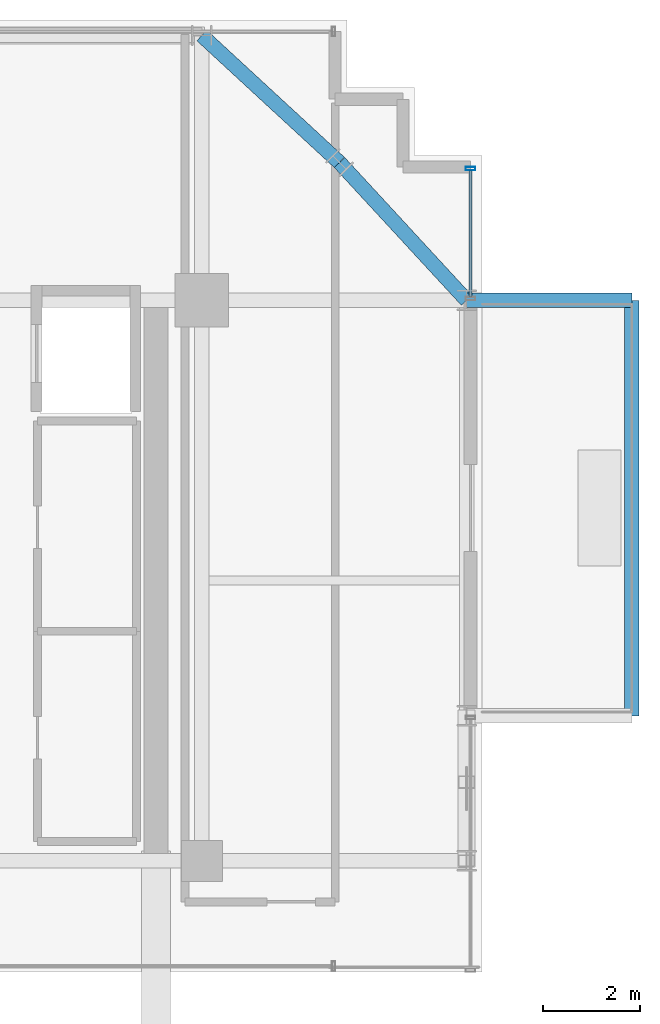
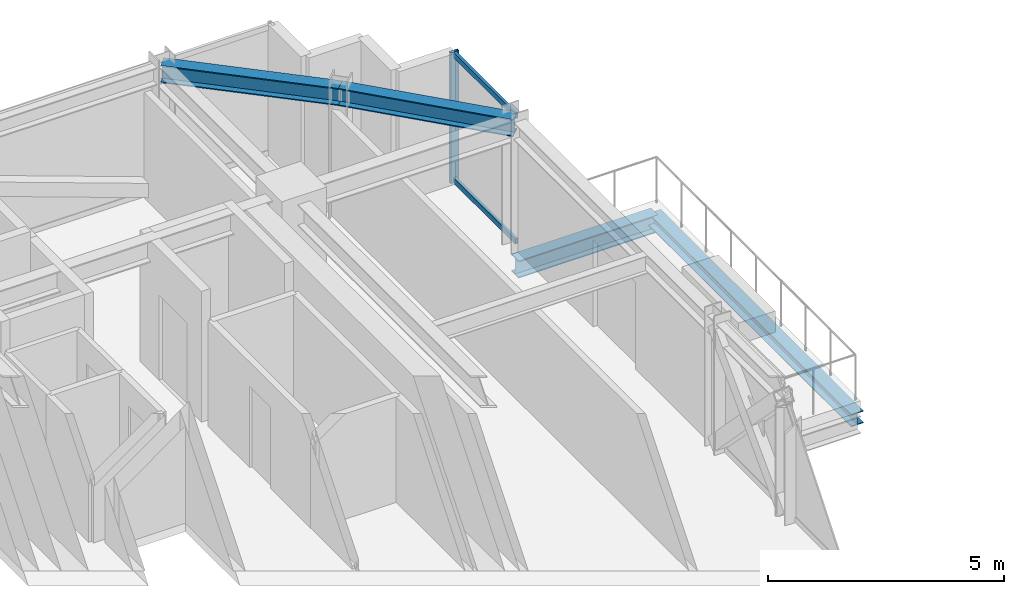
# One storey, part 28 of 38: 4 beams, 3 members, 1 element without a shape of its own.
"""IFC4 building model written with IfcOpenShell, lengths in metres."""

from ifc_helpers import new_model, si_unit, direction, frame, origin, origin_2d, place, context, subcontext, project, spatial, hollow_rectangle, i_section, extrude, source, transform, mapped, material, material_profile, profile_set, type_object, element, aggregate, save


model = new_model("IFC4")

# Units and contexts
model_context = context("Model", 3, precision=1e-05, world=origin(), true_north=direction((0.0, 1.0)))
body_context = subcontext(model_context, "Body", "Model", "MODEL_VIEW")
ifc_project = project(units=[si_unit("LENGTHUNIT", "METRE"), si_unit("AREAUNIT", "SQUARE_METRE"), si_unit("VOLUMEUNIT", "CUBIC_METRE"), si_unit("PLANEANGLEUNIT", "RADIAN"), si_unit("MASSUNIT", "GRAM", prefix="KILO")], contexts=[model_context])

# Site, building, storey
site_placement = place(None, origin())
site = spatial("IfcSite", under=ifc_project, at=site_placement, CompositionType="ELEMENT")
building_placement = place(site_placement, origin())
building = spatial("IfcBuilding", under=site, at=building_placement, Name="Nahalor Promenade Grand Hotel", CompositionType="ELEMENT")
storey_placement = place(building_placement, frame((0.0, 0.0, 163.60009765625)))
storey = spatial("IfcBuildingStorey", under=building, at=storey_placement, Name="L41", CompositionType="ELEMENT", Elevation=163.60009765625)

# Beams
ifc_material_1 = material(Name="Steel S355JR", Category="steel")
ifc_material_profile_1 = material_profile(ifc_material_1, i_section(OverallWidth=0.3, OverallDepth=0.32, WebThickness=0.0115, FlangeThickness=0.0205, at=origin_2d()), Name="HEB 320")
ifc_profile_set_1 = profile_set([ifc_material_profile_1], Name="Steel S355JR")
beam_type_1 = type_object("IfcBeamType", Name="Beam-BalcEdge-HEB320", PredefinedType="SPANDREL", material=ifc_profile_set_1)
shared_shape_1 = source(origin(), body_context, "Body", "SweptSolid", [
    extrude(i_section(OverallWidth=0.3, OverallDepth=0.32, WebThickness=0.0115, FlangeThickness=0.0205, at=origin_2d()), origin(), (0.0, 0.0, 1.0), 8.60009765625),
])
beam_1_placement = place(storey_placement, frame((25.89990234375, 8.39990234375, -0.440185546875), z_axis=(0.0, 1.0, 0.0), x_axis=(-1.0, 0.0, 0.0)))
element("IfcBeam", 1, at=beam_1_placement, inside=storey, type_object=beam_type_1, Name="BM-L41-BC-02-F", PredefinedType="SPANDREL", context=body_context, shape_type="MappedRepresentation", body=[
    mapped(shared_shape_1, transform((0.0, 0.0, 0.0), scale=1.0)),
])
ifc_material_profile_2 = material_profile(ifc_material_1, i_section(OverallWidth=0.3, OverallDepth=0.45, WebThickness=0.014, FlangeThickness=0.026, at=origin_2d()), Name="HEB 450")
ifc_profile_set_2 = profile_set([ifc_material_profile_2], Name="Steel S355JR")
beam_type_2 = type_object("IfcBeamType", Name="Beam-Outrigger-HEB450", PredefinedType="BEAM", material=ifc_profile_set_2)
shared_shape_2 = source(origin(), body_context, "Body", "SweptSolid", [
    extrude(i_section(OverallWidth=0.3, OverallDepth=0.45, WebThickness=0.014, FlangeThickness=0.026, at=origin_2d()), origin(), (0.0, 0.0, 1.0), 3.419921875),
])
beam_2_placement = place(storey_placement, frame((22.47998046875, 17.0, -0.505126953125), z_axis=(1.0, 0.0, 0.0), x_axis=(0.0, 1.0, 0.0)))
element("IfcBeam", 2, at=beam_2_placement, inside=storey, type_object=beam_type_2, Name="BM-L41-BC-02-2", PredefinedType="BEAM", context=body_context, shape_type="MappedRepresentation", body=[
    mapped(shared_shape_2, transform((0.0, 0.0, 0.0), scale=1.0)),
])
ifc_material_profile_3 = material_profile(ifc_material_1, i_section(OverallWidth=0.3, OverallDepth=0.45, WebThickness=0.014, FlangeThickness=0.026, at=origin_2d()), Name="HEB 450")
ifc_profile_set_3 = profile_set([ifc_material_profile_3], Name="Steel S355JR")
beam_type_3 = type_object("IfcBeamType", Name="Beam-Spandrel-HEB450", PredefinedType="SPANDREL", material=ifc_profile_set_3)
shared_shape_3 = source(origin(), body_context, "Body", "SweptSolid", [
    extrude(i_section(OverallWidth=0.3, OverallDepth=0.45, WebThickness=0.014, FlangeThickness=0.026, at=origin_2d()), origin(), (0.0, 0.0, 1.0), 3.878173828125),
])
for number, where, z_axis, x_axis, name in (
    (3, (17.0, 22.47998046875, 3.164794921875), (0.73492893846, -0.678144125843, 0.0), (0.678144125843, 0.73492893846, 0.0), "BM-L41-SPC-NE-1"),
    (4, (19.85009765625, 19.85009765625, 3.164794921875), (0.678144125843, -0.73492893846, 0.0), (0.73492893846, 0.678144125843, 0.0), "BM-L41-SPC-NE-2"),
):
    element("IfcBeam", number, at=place(storey_placement, frame(where, z_axis=z_axis, x_axis=x_axis)), inside=storey, type_object=beam_type_3, Name=name, PredefinedType="SPANDREL", context=body_context, shape_type="MappedRepresentation", body=[
        mapped(shared_shape_3, transform((0.0, 0.0, 0.0), scale=1.0)),
    ])

# Curtain wall, members
ifc_material_2 = material(Name="Anodised Bronze Aluminium EN AW-6063 T6", Category="aluminium")
curtain_wall_type = type_object("IfcCurtainWallType", Name="CW3 Elliptical-Void Collar Unitised Curtain Wall", PredefinedType="USERDEFINED", material=ifc_material_2)
curtain_wall_placement = place(storey_placement, origin())
curtain_wall = element("IfcCurtainWall", 5, at=curtain_wall_placement, inside=storey, type_object=curtain_wall_type, Name="L41 Curtain Wall CW-L41-E-4", ObjectType="UNITISED_CURTAIN_WALL", PredefinedType="USERDEFINED")
ifc_material_profile_4 = material_profile(ifc_material_2, hollow_rectangle(XDim=0.07, YDim=0.14, WallThickness=0.004, at=origin_2d()), Name="CWT 70x140x4")
ifc_profile_set_4 = profile_set([ifc_material_profile_4], Name="Anodised Bronze Aluminium EN AW-6063 T6")
member_type_1 = type_object("IfcMemberType", Name="CWT3 Void Collar Transom 70x140", PredefinedType="USERDEFINED", material=ifc_profile_set_4)
shared_shape_4 = source(origin(), body_context, "Body", "SweptSolid", [
    extrude(hollow_rectangle(XDim=0.07, YDim=0.14, WallThickness=0.004, at=origin_2d()), origin(), (0.0, 0.0, 1.0), 2.619873046875),
])
member_1_placement = place(storey_placement, frame((22.56005859375, 17.070068359375, 0.06982421875), z_axis=(0.0, 1.0, 0.0), x_axis=(-1.0, 0.0, 0.0)))
member_1 = element("IfcMember", 6, at=member_1_placement, type_object=member_type_1, Name="CW-L41-E-4 Transom 0-0", ObjectType="TRANSOM", PredefinedType="USERDEFINED", context=body_context, shape_type="MappedRepresentation", body=[
    mapped(shared_shape_4, transform((0.0, 0.0, 0.0), scale=1.0)),
])
member_2_placement = place(storey_placement, frame((22.56005859375, 17.070068359375, 3.31982421875), z_axis=(0.0, 1.0, 0.0), x_axis=(-1.0, 0.0, 0.0)))
member_2 = element("IfcMember", 7, at=member_2_placement, type_object=member_type_1, Name="CW-L41-E-4 Transom 0-1", ObjectType="TRANSOM", PredefinedType="USERDEFINED", context=body_context, shape_type="MappedRepresentation", body=[
    mapped(shared_shape_4, transform((0.0, 0.0, 0.0), scale=1.0)),
])
ifc_material_profile_5 = material_profile(ifc_material_2, hollow_rectangle(XDim=0.07, YDim=0.2, WallThickness=0.005, at=origin_2d()), Name="CWM 70x200x5")
ifc_profile_set_5 = profile_set([ifc_material_profile_5], Name="Anodised Bronze Aluminium EN AW-6063 T6")
member_type_2 = type_object("IfcMemberType", Name="CWM3 Void Collar Mullion 70x200", PredefinedType="MULLION", material=ifc_profile_set_5)
shared_shape_5 = source(origin(), body_context, "Body", "SweptSolid", [
    extrude(hollow_rectangle(XDim=0.07, YDim=0.2, WallThickness=0.005, at=origin_2d()), origin(), (0.0, 0.0, 1.0), 3.389892578125),
])
member_3_placement = place(storey_placement, frame((22.56005859375, 19.72509765625, 0.0), z_axis=(0.0, 0.0, 1.0), x_axis=(0.0, 1.0, 0.0)))
member_3 = element("IfcMember", 8, at=member_3_placement, type_object=member_type_2, Name="CW-L41-E-4 Mullion 1", PredefinedType="MULLION", context=body_context, shape_type="MappedRepresentation", body=[
    mapped(shared_shape_5, transform((0.0, 0.0, 0.0), scale=1.0)),
])
aggregate(curtain_wall, [member_3, member_1, member_2])

save(model, "model.ifc")
